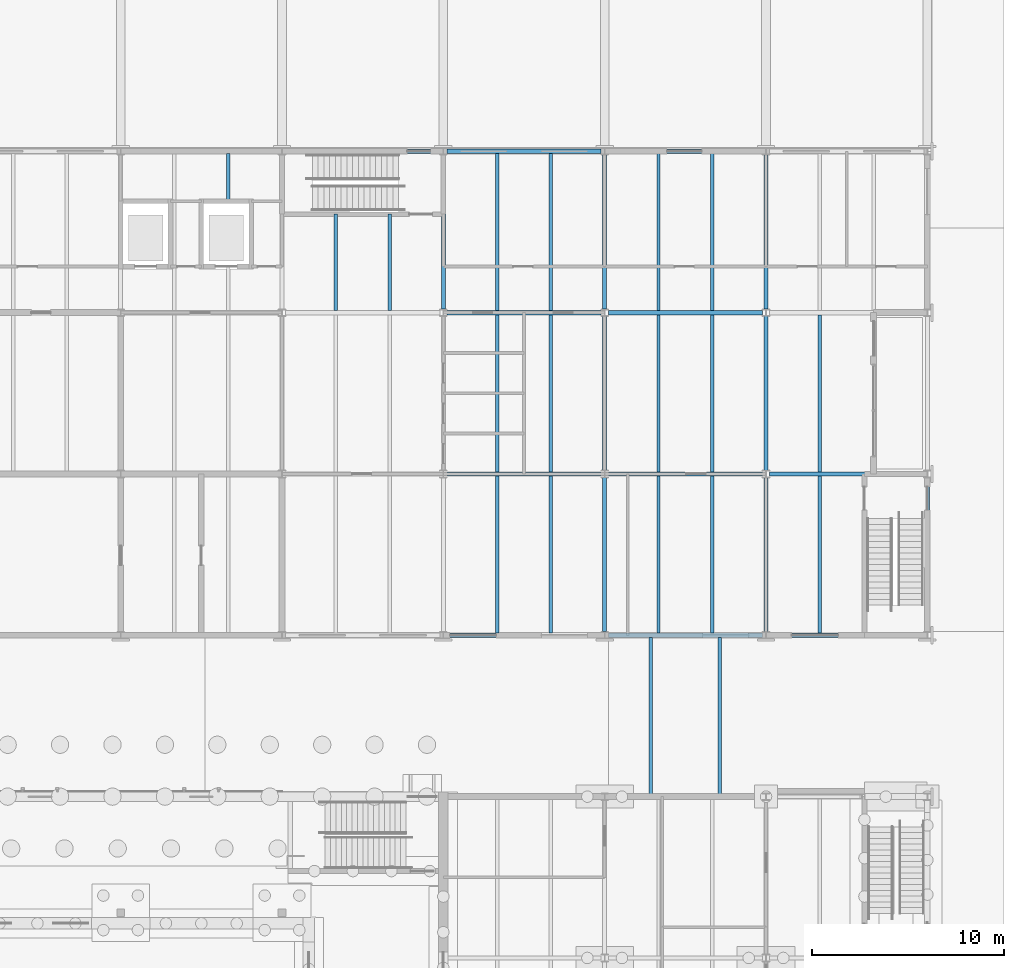
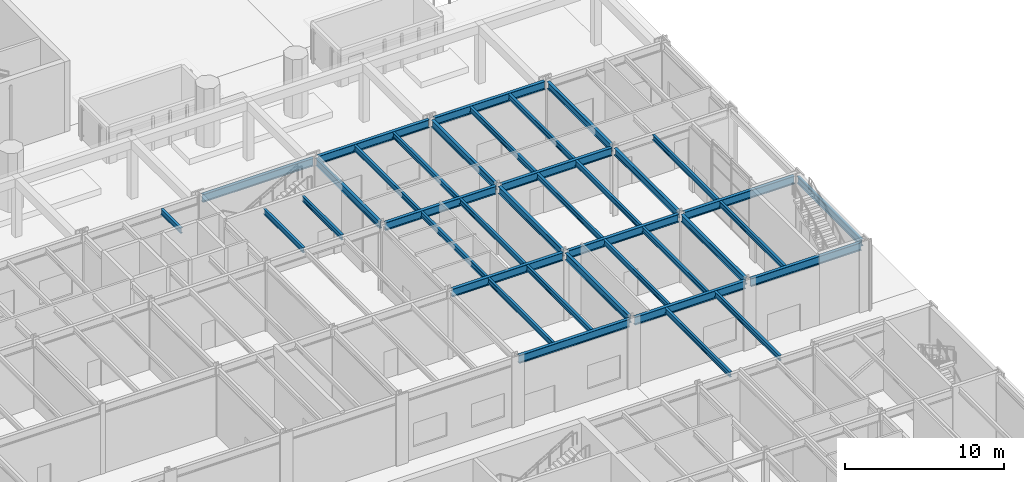
# One storey, part 44 of 127: 38 beams.
"""IFC4 building model written with IfcOpenShell, lengths in metres."""

from ifc_helpers import new_model, si_unit, direction, frame, origin, origin_2d, place, context, subcontext, project, spatial, i_section, extrude, material, material_profile, profile_set, type_object, element, save


model = new_model("IFC4")

# Units and contexts
model_context = context("Model", 3, precision=1e-05, world=origin(), true_north=direction((0.0, 1.0)))
body_context = subcontext(model_context, "Body", "Model", "MODEL_VIEW")
ifc_project = project(units=[si_unit("LENGTHUNIT", "METRE"), si_unit("AREAUNIT", "SQUARE_METRE"), si_unit("VOLUMEUNIT", "CUBIC_METRE"), si_unit("PLANEANGLEUNIT", "RADIAN"), si_unit("MASSUNIT", "GRAM", prefix="KILO")], contexts=[model_context])

# Site, building, storey
site_placement = place(None, origin())
site = spatial("IfcSite", under=ifc_project, at=site_placement, CompositionType="ELEMENT")
building_placement = place(site_placement, origin())
building = spatial("IfcBuilding", under=site, at=building_placement, Name="Ljudholm Concert House", CompositionType="ELEMENT")
storey_placement = place(building_placement, origin())
storey = spatial("IfcBuildingStorey", under=building, at=storey_placement, Name="L00", CompositionType="ELEMENT", Elevation=0.0)

# Beams
ifc_material_1 = material(Name="Steel ASTM A992", Category="steel")
ifc_material_profile_1 = material_profile(ifc_material_1, i_section(OverallWidth=0.177734375, OverallDepth=0.406494140625, WebThickness=0.0078125, FlangeThickness=0.012939453125, FilletRadius=0.01025390625, at=origin_2d()), Name="W16X40")
ifc_profile_set_1 = profile_set([ifc_material_profile_1], Name="Steel ASTM A992")
beam_type_1 = type_object("IfcBeamType", Name="STEEL BEAM W16X40", PredefinedType="BEAM", material=ifc_profile_set_1)
beam_1_placement = place(storey_placement, frame((85.199951171875, 127.39990234375, 5.016845703125), z_axis=(0.0, 1.0, 0.0), x_axis=(-1.0, 0.0, 0.0)))
element("IfcBeam", 1, at=beam_1_placement, inside=storey, type_object=beam_type_1, Name="Beam STUDIO-L01-sb-85.2-121.6-2", PredefinedType="BEAM", context=body_context, shape_type="SweptSolid", body=[
    extrude(i_section(OverallWidth=0.177734375, OverallDepth=0.406494140625, WebThickness=0.0078125, FlangeThickness=0.012939453125, FilletRadius=0.01025390625, at=origin_2d()), origin(), (0.0, 0.0, 1.0), 2.485595703125),
])
for number, where, z_axis, x_axis, name in (
    (2, (90.800048828125, 121.714599609375, 5.016845703125), (0.0, 1.0, 0.0), (-1.0, 0.0, 0.0), "Beam STUDIO-L01-sb-90.8-121.6-1"),
    (3, (93.60009765625, 121.714599609375, 5.016845703125), (0.0, 1.0, 0.0), (-1.0, 0.0, 0.0), "Beam STUDIO-L01-sb-93.6-121.6-1"),
):
    element("IfcBeam", number, at=place(storey_placement, frame(where, z_axis=z_axis, x_axis=x_axis)), inside=storey, type_object=beam_type_1, Name=name, PredefinedType="BEAM", context=body_context, shape_type="SweptSolid", body=[
        extrude(i_section(OverallWidth=0.177734375, OverallDepth=0.406494140625, WebThickness=0.0078125, FlangeThickness=0.012939453125, FilletRadius=0.01025390625, at=origin_2d()), origin(), (0.0, 0.0, 1.0), 5.010498046875),
    ])
for number, where, z_axis, x_axis, name in (
    (4, (99.199951171875, 104.91455078125, 5.016845703125), (0.0, 1.0, 0.0), (-1.0, 0.0, 0.0), "Beam STUDIO-L01-sb-99.2-104.8"),
    (5, (102.0, 104.91455078125, 5.016845703125), (0.0, 1.0, 0.0), (-1.0, 0.0, 0.0), "Beam STUDIO-L01-sb-102-104.8"),
    (6, (99.199951171875, 113.314453125, 5.016845703125), (0.0, 1.0, 0.0), (-1.0, 0.0, 0.0), "Beam STUDIO-L01-sb-99.2-113.2"),
    (7, (102.0, 113.314453125, 5.016845703125), (0.0, 1.0, 0.0), (-1.0, 0.0, 0.0), "Beam STUDIO-L01-sb-102-113.2"),
    (8, (99.199951171875, 121.714599609375, 5.016845703125), (0.0, 1.0, 0.0), (-1.0, 0.0, 0.0), "Beam STUDIO-L01-sb-99.2-121.6"),
    (9, (102.0, 121.714599609375, 5.016845703125), (0.0, 1.0, 0.0), (-1.0, 0.0, 0.0), "Beam STUDIO-L01-sb-102-121.6"),
    (10, (107.60009765625, 104.91455078125, 5.016845703125), (0.0, 1.0, 0.0), (-1.0, 0.0, 0.0), "Beam STUDIO-L01-sb-107.6-104.8"),
    (11, (110.39990234375, 104.91455078125, 5.016845703125), (0.0, 1.0, 0.0), (-1.0, 0.0, 0.0), "Beam STUDIO-L01-sb-110.4-104.8"),
    (12, (107.60009765625, 113.314453125, 5.016845703125), (0.0, 1.0, 0.0), (-1.0, 0.0, 0.0), "Beam STUDIO-L01-sb-107.6-113.2"),
    (13, (110.39990234375, 113.314453125, 5.016845703125), (0.0, 1.0, 0.0), (-1.0, 0.0, 0.0), "Beam STUDIO-L01-sb-110.4-113.2"),
    (14, (107.60009765625, 121.714599609375, 5.016845703125), (0.0, 1.0, 0.0), (-1.0, 0.0, 0.0), "Beam STUDIO-L01-sb-107.6-121.6"),
    (15, (110.39990234375, 121.714599609375, 5.016845703125), (0.0, 1.0, 0.0), (-1.0, 0.0, 0.0), "Beam STUDIO-L01-sb-110.4-121.6"),
    (16, (116.0, 104.91455078125, 5.016845703125), (0.0, 1.0, 0.0), (-1.0, 0.0, 0.0), "Beam STUDIO-L01-sb-116-104.8"),
    (17, (116.0, 113.314453125, 5.016845703125), (0.0, 1.0, 0.0), (-1.0, 0.0, 0.0), "Beam STUDIO-L01-sb-116-113.2"),
    (18, (107.199951171875, 96.5146484375, 5.016845703125), (0.0, 1.0, 0.0), (-1.0, 0.0, 0.0), "Bridge girder"),
    (19, (110.800048828125, 96.5146484375, 5.016845703125), (0.0, 1.0, 0.0), (-1.0, 0.0, 0.0), "Bridge girder"),
):
    element("IfcBeam", number, at=place(storey_placement, frame(where, z_axis=z_axis, x_axis=x_axis)), inside=storey, type_object=beam_type_1, Name=name, PredefinedType="BEAM", context=body_context, shape_type="SweptSolid", body=[
        extrude(i_section(OverallWidth=0.177734375, OverallDepth=0.406494140625, WebThickness=0.0078125, FlangeThickness=0.012939453125, FilletRadius=0.01025390625, at=origin_2d()), origin(), (0.0, 0.0, 1.0), 8.1708984375),
    ])
ifc_material_2 = material(Name="Steel ASTM A992", Category="steel")
ifc_material_profile_2 = material_profile(ifc_material_2, i_section(OverallWidth=0.209228515625, OverallDepth=0.533447265625, WebThickness=0.01025390625, FlangeThickness=0.015625, FilletRadius=0.012939453125, at=origin_2d()), Name="W21X62")
ifc_profile_set_2 = profile_set([ifc_material_profile_2], Name="Steel ASTM A992")
beam_type_2 = type_object("IfcBeamType", Name="STEEL BEAM W21X62", PredefinedType="BEAM", material=ifc_profile_set_2)
beam_2_placement = place(storey_placement, frame((96.39990234375, 121.78662109375, 4.953369140625), z_axis=(0.0, 1.0, 0.0), x_axis=(-1.0, 0.0, 0.0)))
element("IfcBeam", 20, at=beam_2_placement, inside=storey, type_object=beam_type_2, Name="Beam STUDIO-L01-gy-96.4-121.6", PredefinedType="BEAM", context=body_context, shape_type="SweptSolid", body=[
    extrude(i_section(OverallWidth=0.209228515625, OverallDepth=0.533447265625, WebThickness=0.01025390625, FlangeThickness=0.015625, FilletRadius=0.012939453125, at=origin_2d()), origin(), (0.0, 0.0, 1.0), 8.026611328125),
])
beam_3_placement = place(storey_placement, frame((104.800048828125, 104.986572265625, 4.953369140625), z_axis=(0.0, 1.0, 0.0), x_axis=(-1.0, 0.0, 0.0)))
element("IfcBeam", 21, at=beam_3_placement, inside=storey, type_object=beam_type_2, Name="Beam STUDIO-L01-gy-104.8-104.8", PredefinedType="BEAM", context=body_context, shape_type="SweptSolid", body=[
    extrude(i_section(OverallWidth=0.209228515625, OverallDepth=0.533447265625, WebThickness=0.01025390625, FlangeThickness=0.015625, FilletRadius=0.012939453125, at=origin_2d()), origin(), (0.0, 0.0, 1.0), 8.02685546875),
])
for number, where, z_axis, x_axis, name in (
    (22, (104.800048828125, 113.38671875, 4.953369140625), (0.0, 1.0, 0.0), (-1.0, 0.0, 0.0), "Beam STUDIO-L01-gy-104.8-113.2"),
    (23, (104.800048828125, 121.78662109375, 4.953369140625), (0.0, 1.0, 0.0), (-1.0, 0.0, 0.0), "Beam STUDIO-L01-gy-104.8-121.6"),
):
    element("IfcBeam", number, at=place(storey_placement, frame(where, z_axis=z_axis, x_axis=x_axis)), inside=storey, type_object=beam_type_2, Name=name, PredefinedType="BEAM", context=body_context, shape_type="SweptSolid", body=[
        extrude(i_section(OverallWidth=0.209228515625, OverallDepth=0.533447265625, WebThickness=0.01025390625, FlangeThickness=0.015625, FilletRadius=0.012939453125, at=origin_2d()), origin(), (0.0, 0.0, 1.0), 8.026611328125),
    ])
beam_4_placement = place(storey_placement, frame((113.199951171875, 104.986572265625, 4.953369140625), z_axis=(0.0, 1.0, 0.0), x_axis=(-1.0, 0.0, 0.0)))
element("IfcBeam", 24, at=beam_4_placement, inside=storey, type_object=beam_type_2, Name="Beam STUDIO-L01-gy-113.2-104.8", PredefinedType="BEAM", context=body_context, shape_type="SweptSolid", body=[
    extrude(i_section(OverallWidth=0.209228515625, OverallDepth=0.533447265625, WebThickness=0.01025390625, FlangeThickness=0.015625, FilletRadius=0.012939453125, at=origin_2d()), origin(), (0.0, 0.0, 1.0), 8.02685546875),
])
for number, where, z_axis, x_axis, name in (
    (25, (113.199951171875, 113.38671875, 4.953369140625), (0.0, 1.0, 0.0), (-1.0, 0.0, 0.0), "Beam STUDIO-L01-gy-113.2-113.2"),
    (26, (113.199951171875, 121.78662109375, 4.953369140625), (0.0, 1.0, 0.0), (-1.0, 0.0, 0.0), "Beam STUDIO-L01-gy-113.2-121.6"),
):
    element("IfcBeam", number, at=place(storey_placement, frame(where, z_axis=z_axis, x_axis=x_axis)), inside=storey, type_object=beam_type_2, Name=name, PredefinedType="BEAM", context=body_context, shape_type="SweptSolid", body=[
        extrude(i_section(OverallWidth=0.209228515625, OverallDepth=0.533447265625, WebThickness=0.01025390625, FlangeThickness=0.015625, FilletRadius=0.012939453125, at=origin_2d()), origin(), (0.0, 0.0, 1.0), 8.026611328125),
    ])
beam_5_placement = place(storey_placement, frame((121.60009765625, 104.986572265625, 4.953369140625), z_axis=(0.0, 1.0, 0.0), x_axis=(-1.0, 0.0, 0.0)))
element("IfcBeam", 27, at=beam_5_placement, inside=storey, type_object=beam_type_2, Name="Beam STUDIO-L01-gy-121.6-104.8", PredefinedType="BEAM", context=body_context, shape_type="SweptSolid", body=[
    extrude(i_section(OverallWidth=0.209228515625, OverallDepth=0.533447265625, WebThickness=0.01025390625, FlangeThickness=0.015625, FilletRadius=0.012939453125, at=origin_2d()), origin(), (0.0, 0.0, 1.0), 8.02685546875),
])
ifc_material_3 = material(Name="Steel ASTM A992", Category="steel")
ifc_material_profile_3 = material_profile(ifc_material_3, i_section(OverallWidth=0.22900390625, OverallDepth=0.612060546875, WebThickness=0.011962890625, FlangeThickness=0.01953125, FilletRadius=0.0126953125, at=origin_2d()), Name="W24X84")
ifc_profile_set_3 = profile_set([ifc_material_profile_3], Name="Steel ASTM A992")
beam_type_3 = type_object("IfcBeamType", Name="STEEL BEAM W24X84", PredefinedType="BEAM", material=ifc_profile_set_3)
beam_6_placement = place(storey_placement, frame((96.586669921875, 104.800048828125, 4.913818359375), z_axis=(1.0, 0.0, 0.0), x_axis=(0.0, 1.0, 0.0)))
element("IfcBeam", 28, at=beam_6_placement, inside=storey, type_object=beam_type_3, Name="Beam STUDIO-L01-gx-96.4-104.8", PredefinedType="BEAM", context=body_context, shape_type="SweptSolid", body=[
    extrude(i_section(OverallWidth=0.22900390625, OverallDepth=0.612060546875, WebThickness=0.011962890625, FlangeThickness=0.01953125, FilletRadius=0.0126953125, at=origin_2d()), origin(), (0.0, 0.0, 1.0), 8.026611328125),
])
beam_7_placement = place(storey_placement, frame((104.986572265625, 104.800048828125, 4.913818359375), z_axis=(1.0, 0.0, 0.0), x_axis=(0.0, 1.0, 0.0)))
element("IfcBeam", 29, at=beam_7_placement, inside=storey, type_object=beam_type_3, Name="Beam STUDIO-L01-gx-104.8-104.8", PredefinedType="BEAM", context=body_context, shape_type="SweptSolid", body=[
    extrude(i_section(OverallWidth=0.22900390625, OverallDepth=0.612060546875, WebThickness=0.011962890625, FlangeThickness=0.01953125, FilletRadius=0.0126953125, at=origin_2d()), origin(), (0.0, 0.0, 1.0), 8.02685546875),
])
for number, where, z_axis, x_axis, name in (
    (30, (113.38671875, 104.800048828125, 4.913818359375), (1.0, 0.0, 0.0), (0.0, 1.0, 0.0), "Beam STUDIO-L01-gx-113.2-104.8"),
    (31, (96.586669921875, 113.199951171875, 4.913818359375), (1.0, 0.0, 0.0), (0.0, 1.0, 0.0), "Beam STUDIO-L01-gx-96.4-113.2"),
):
    element("IfcBeam", number, at=place(storey_placement, frame(where, z_axis=z_axis, x_axis=x_axis)), inside=storey, type_object=beam_type_3, Name=name, PredefinedType="BEAM", context=body_context, shape_type="SweptSolid", body=[
        extrude(i_section(OverallWidth=0.22900390625, OverallDepth=0.612060546875, WebThickness=0.011962890625, FlangeThickness=0.01953125, FilletRadius=0.0126953125, at=origin_2d()), origin(), (0.0, 0.0, 1.0), 8.026611328125),
    ])
beam_8_placement = place(storey_placement, frame((104.986572265625, 113.199951171875, 4.913818359375), z_axis=(1.0, 0.0, 0.0), x_axis=(0.0, 1.0, 0.0)))
element("IfcBeam", 32, at=beam_8_placement, inside=storey, type_object=beam_type_3, Name="Beam STUDIO-L01-gx-104.8-113.2", PredefinedType="BEAM", context=body_context, shape_type="SweptSolid", body=[
    extrude(i_section(OverallWidth=0.22900390625, OverallDepth=0.612060546875, WebThickness=0.011962890625, FlangeThickness=0.01953125, FilletRadius=0.0126953125, at=origin_2d()), origin(), (0.0, 0.0, 1.0), 8.02685546875),
])
for number, where, z_axis, x_axis, name in (
    (33, (113.38671875, 113.199951171875, 4.913818359375), (1.0, 0.0, 0.0), (0.0, 1.0, 0.0), "Beam STUDIO-L01-gx-113.2-113.2"),
    (34, (96.586669921875, 121.60009765625, 4.913818359375), (1.0, 0.0, 0.0), (0.0, 1.0, 0.0), "Beam STUDIO-L01-gx-96.4-121.6"),
):
    element("IfcBeam", number, at=place(storey_placement, frame(where, z_axis=z_axis, x_axis=x_axis)), inside=storey, type_object=beam_type_3, Name=name, PredefinedType="BEAM", context=body_context, shape_type="SweptSolid", body=[
        extrude(i_section(OverallWidth=0.22900390625, OverallDepth=0.612060546875, WebThickness=0.011962890625, FlangeThickness=0.01953125, FilletRadius=0.0126953125, at=origin_2d()), origin(), (0.0, 0.0, 1.0), 8.026611328125),
    ])
beam_9_placement = place(storey_placement, frame((104.986572265625, 121.60009765625, 4.913818359375), z_axis=(1.0, 0.0, 0.0), x_axis=(0.0, 1.0, 0.0)))
element("IfcBeam", 35, at=beam_9_placement, inside=storey, type_object=beam_type_3, Name="Beam STUDIO-L01-gx-104.8-121.6", PredefinedType="BEAM", context=body_context, shape_type="SweptSolid", body=[
    extrude(i_section(OverallWidth=0.22900390625, OverallDepth=0.612060546875, WebThickness=0.011962890625, FlangeThickness=0.01953125, FilletRadius=0.0126953125, at=origin_2d()), origin(), (0.0, 0.0, 1.0), 8.02685546875),
])
for number, where, z_axis, x_axis, name in (
    (36, (88.186767578125, 130.0, 4.913818359375), (1.0, 0.0, 0.0), (0.0, 1.0, 0.0), "Beam STUDIO-L01-gx-88-130"),
    (37, (96.586669921875, 130.0, 4.913818359375), (1.0, 0.0, 0.0), (0.0, 1.0, 0.0), "Beam STUDIO-L01-gx-96.4-130"),
):
    element("IfcBeam", number, at=place(storey_placement, frame(where, z_axis=z_axis, x_axis=x_axis)), inside=storey, type_object=beam_type_3, Name=name, PredefinedType="BEAM", context=body_context, shape_type="SweptSolid", body=[
        extrude(i_section(OverallWidth=0.22900390625, OverallDepth=0.612060546875, WebThickness=0.011962890625, FlangeThickness=0.01953125, FilletRadius=0.0126953125, at=origin_2d()), origin(), (0.0, 0.0, 1.0), 8.026611328125),
    ])
beam_10_placement = place(storey_placement, frame((104.986572265625, 130.0, 4.913818359375), z_axis=(1.0, 0.0, 0.0), x_axis=(0.0, 1.0, 0.0)))
element("IfcBeam", 38, at=beam_10_placement, inside=storey, type_object=beam_type_3, Name="Beam STUDIO-L01-gx-104.8-130", PredefinedType="BEAM", context=body_context, shape_type="SweptSolid", body=[
    extrude(i_section(OverallWidth=0.22900390625, OverallDepth=0.612060546875, WebThickness=0.011962890625, FlangeThickness=0.01953125, FilletRadius=0.0126953125, at=origin_2d()), origin(), (0.0, 0.0, 1.0), 8.02685546875),
])

save(model, "model.ifc")
